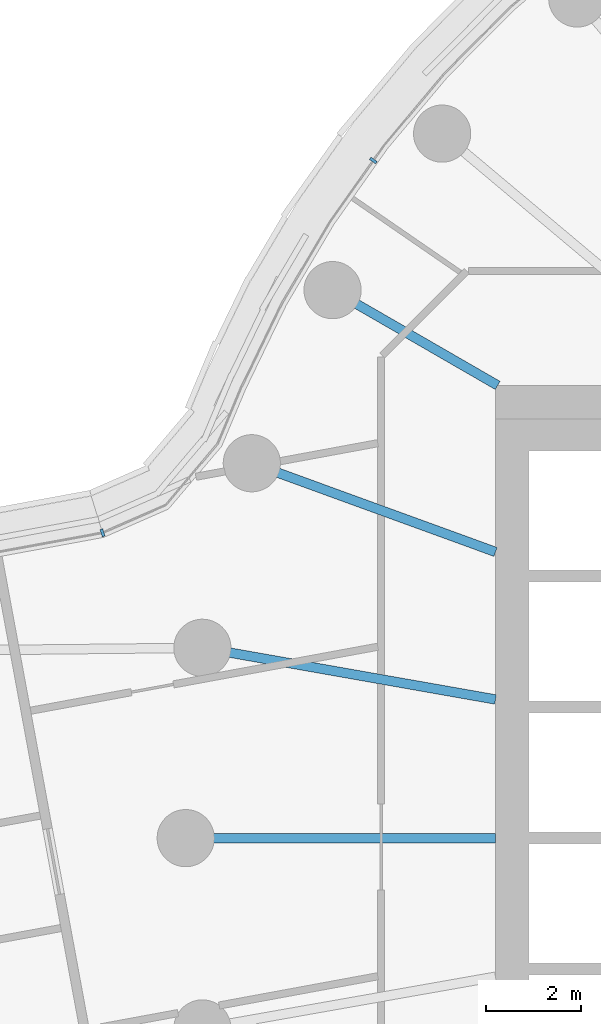
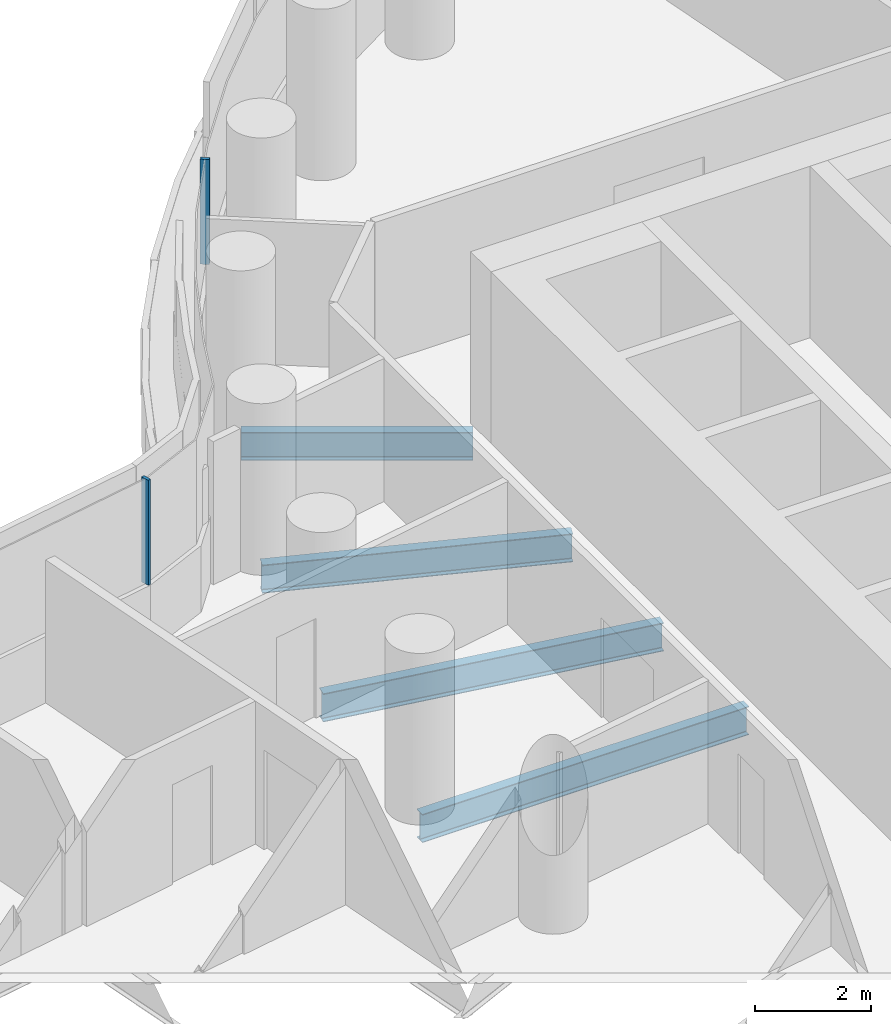
# One storey, part 9 of 33: 4 beams, 2 members, 2 elements without a shape of their own.
"""IFC4 building model written with IfcOpenShell, lengths in metres."""

import ifcopenshell
import ifcopenshell.guid

model = None  # the IFC model being written
_history = None  # IfcOwnerHistory: only IFC2X3 demands one
_inside = {}  # id of a spatial element -> (the spatial element, [elements in it])
_under = {}  # id of a project, library or spatial element -> (it, [spatial elements below it])
_declared = {}  # id of a project -> (the project, [libraries it declares])
_typed = {}  # id of a type object -> (the type object, [elements of that type])
_made_of = {}  # id of a material, layer set ... -> (it, [elements and type objects made of it])


def new_model(schema):
    """Start an empty IFC model of exactly this schema.

    Asked for "IFC4X3", IfcOpenShell would pick the latest addendum, in which some entities
    have other attributes; the version numbers below select the first issue.
    IFC2X3 requires an IfcOwnerHistory on every rooted entity: one is made here for all.
    """
    global model, _history
    if schema == "IFC4X3":
        model = ifcopenshell.file(schema_version=(4, 3, 0, 0))
    else:
        model = ifcopenshell.file(schema=schema)
    _inside.clear()
    _under.clear()
    _declared.clear()
    _typed.clear()
    _made_of.clear()
    _history = None
    if model.schema == "IFC2X3":
        org = make("IfcOrganization", Name="unknown")
        user = make(
            "IfcPersonAndOrganization",
            ThePerson=make("IfcPerson", FamilyName="unknown"),
            TheOrganization=org,
        )
        app = make(
            "IfcApplication",
            ApplicationDeveloper=org,
            Version="unknown",
            ApplicationFullName="unknown",
            ApplicationIdentifier="unknown",
        )
        _history = make(
            "IfcOwnerHistory",
            OwningUser=user,
            OwningApplication=app,
            ChangeAction="ADDED",
            CreationDate=0,
        )
    return model


def make(cls, **values):
    """One entity of the class cls with the attributes given. An attribute that is None is left unset."""
    return model.create_entity(
        cls, **{name: value for name, value in values.items() if value is not None}
    )


def rooted(cls, **values):
    """An entity with a GlobalId (a new one), such as an element, a storey or a relation."""
    return make(cls, GlobalId=ifcopenshell.guid.new(), OwnerHistory=_history, **values)


def si_unit(unit_type, name, prefix=None):
    """IfcSIUnit, for example si_unit("LENGTHUNIT", "METRE", prefix="MILLI")."""
    return make("IfcSIUnit", UnitType=unit_type, Prefix=prefix, Name=name)


def assignment(units):
    """IfcUnitAssignment: the units of a project."""
    return None if units is None else make("IfcUnitAssignment", Units=units)


def point(xyz):
    """IfcCartesianPoint."""
    return None if xyz is None else make("IfcCartesianPoint", Coordinates=xyz)


def direction(xyz):
    """IfcDirection."""
    return None if xyz is None else make("IfcDirection", DirectionRatios=xyz)


def frame(location, z_axis=None, x_axis=None):
    """IfcAxis2Placement3D, a coordinate frame: its origin and axes. An axis left out is left unset."""
    return make(
        "IfcAxis2Placement3D",
        Location=point(location),
        Axis=direction(z_axis),
        RefDirection=direction(x_axis),
    )


def frame_2d(location, x_axis=None):
    """IfcAxis2Placement2D, a coordinate frame in the plane: its origin and x axis."""
    return make(
        "IfcAxis2Placement2D", Location=point(location), RefDirection=direction(x_axis)
    )


def origin():
    """The frame at (0, 0, 0) with its axes left unset."""
    return frame((0.0, 0.0, 0.0))


def origin_2d():
    """The frame at (0, 0) in the plane with its x axis left unset."""
    return frame_2d((0.0, 0.0))


def place(relative_to, where):
    """IfcLocalPlacement: puts the frame where relative to a parent placement (None: the world)."""
    return make(
        "IfcLocalPlacement", PlacementRelTo=relative_to, RelativePlacement=where
    )


def context(
    kind, dimensions, precision=None, world=None, true_north=None, identifier=None
):
    """IfcGeometricRepresentationContext, for example the 3D "Model" context."""
    return make(
        "IfcGeometricRepresentationContext",
        ContextIdentifier=identifier,
        ContextType=kind,
        CoordinateSpaceDimension=dimensions,
        Precision=precision,
        WorldCoordinateSystem=world,
        TrueNorth=true_north,
    )


def subcontext(parent, identifier, kind, view, scale=None):
    """IfcGeometricRepresentationSubContext, for example "Body" below "Model"."""
    return make(
        "IfcGeometricRepresentationSubContext",
        ContextIdentifier=identifier,
        ContextType=kind,
        ParentContext=parent,
        TargetScale=scale,
        TargetView=view,
    )


def project(units=None, contexts=None):
    """IfcProject with its units and contexts."""
    return rooted(
        "IfcProject",
        Name="project",
        RepresentationContexts=contexts,
        UnitsInContext=assignment(units),
    )


def spatial(cls, under=None, at=None, **own):
    """A site, building, storey or space (cls), placed at a placement, below another one or the project."""
    s = rooted(cls, ObjectPlacement=at, **own)
    if under is not None:
        _under.setdefault(under.id(), (under, []))[1].append(s)
    return s


def profile(cls, at=None, kind="AREA", **sizes):
    """A parametric profile (cls). Its sizes go by their IFC names, for example OverallWidth=200.0."""
    return make(cls, ProfileType=kind, Position=at, **sizes)


def rectangle(**sizes):
    """IfcRectangleProfileDef."""
    return profile("IfcRectangleProfileDef", **sizes)


def i_section(**sizes):
    """IfcIShapeProfileDef."""
    return profile("IfcIShapeProfileDef", **sizes)


def extrude(swept, where, along, depth):
    """IfcExtrudedAreaSolid: the profile swept, set in the frame where, extruded along a direction by depth."""
    return make(
        "IfcExtrudedAreaSolid",
        SweptArea=swept,
        Position=where,
        ExtrudedDirection=direction(along),
        Depth=depth,
    )


def shape(context_of_items, identifier, shape_type, items):
    """IfcShapeRepresentation: the items that make up one representation, for example the "Body"."""
    return make(
        "IfcShapeRepresentation",
        ContextOfItems=context_of_items,
        RepresentationIdentifier=identifier,
        RepresentationType=shape_type,
        Items=items,
    )


def material(Name=None, Category=None):
    """IfcMaterial."""
    return make("IfcMaterial", Name=Name, Category=Category)


def layer(
    of_material, thickness, ventilated=None, Name=None, Category=None, Priority=None
):
    """IfcMaterialLayer: one layer of a wall or slab, of a material (None: an air gap)."""
    return make(
        "IfcMaterialLayer",
        Material=of_material,
        LayerThickness=thickness,
        IsVentilated=ventilated,
        Name=Name,
        Category=Category,
        Priority=Priority,
    )


def layer_set(layers, Name=None):
    """IfcMaterialLayerSet."""
    return make("IfcMaterialLayerSet", MaterialLayers=layers, LayerSetName=Name)


def material_profile(
    of_material, cross_section, Name=None, Category=None, Priority=None
):
    """IfcMaterialProfile: a cross section and its material."""
    return make(
        "IfcMaterialProfile",
        Name=Name,
        Material=of_material,
        Profile=cross_section,
        Priority=Priority,
        Category=Category,
    )


def profile_set(profiles, Name=None, composite=None):
    """IfcMaterialProfileSet."""
    return make(
        "IfcMaterialProfileSet",
        Name=Name,
        MaterialProfiles=profiles,
        CompositeProfile=composite,
    )


def made_of(thing, what):
    """Note that an element or type object is made of a material, layer set ...; save() writes the relation."""
    if what is not None:
        _made_of.setdefault(what.id(), (what, []))[1].append(thing)
    return thing


def type_object(cls, material=None, **own):
    """A type object (cls), such as IfcWallType, which elements share."""
    return made_of(rooted(cls, **own), material)


def element(
    cls,
    number,
    at=None,
    inside=None,
    cuts=None,
    type_object=None,
    material=None,
    context=None,
    identifier="Body",
    shape_type=None,
    held_by="IfcProductDefinitionShape",
    body=None,
    shapes=None,
    **own,
):
    """One element of the class cls, such as IfcWall. Its Tag is "e" and its number.

    at: its placement. inside: the storey or other place that contains it. cuts: it is an
    opening in that element (IfcRelVoidsElement). A single representation is given by context,
    identifier, shape_type and body (its items); several are given by shapes. held_by: the class
    of the entity that holds the representations. save() writes the other relations.
    """
    e = rooted(cls, Tag="e%d" % number, ObjectPlacement=at, **own)
    if body is not None:
        shapes = [shape(context, identifier, shape_type, body)]
    if shapes is not None:
        e.Representation = make(held_by, Representations=shapes)
    if inside is not None:
        _inside.setdefault(inside.id(), (inside, []))[1].append(e)
    if cuts is not None:
        rooted(
            "IfcRelVoidsElement", RelatingBuildingElement=cuts, RelatedOpeningElement=e
        )
    if type_object is not None:
        _typed.setdefault(type_object.id(), (type_object, []))[1].append(e)
    return made_of(e, material)


def aggregate(whole, parts):
    """IfcRelAggregates: a whole, such as a stair, and the parts it consists of."""
    return rooted("IfcRelAggregates", RelatingObject=whole, RelatedObjects=parts)


def save(model, path):
    """Write the relations noted so far, then the file.

    IfcRelAggregates (storeys below a building ...), IfcRelContainedInSpatialStructure (elements
    in a storey), IfcRelDefinesByType, IfcRelAssociatesMaterial and IfcRelDeclares: one each for
    every whole, place, type object, material and project.
    """
    for whole, parts in _under.values():
        aggregate(whole, parts)
    for where, things in _inside.values():
        rooted(
            "IfcRelContainedInSpatialStructure",
            RelatedElements=things,
            RelatingStructure=where,
        )
    for kind, things in _typed.values():
        rooted("IfcRelDefinesByType", RelatedObjects=things, RelatingType=kind)
    for what, things in _made_of.values():
        rooted("IfcRelAssociatesMaterial", RelatedObjects=things, RelatingMaterial=what)
    for by, libraries in _declared.values():
        rooted("IfcRelDeclares", RelatingContext=by, RelatedDefinitions=libraries)
    model.write(path)


model = new_model("IFC4")

# Units and contexts
model_context = context("Model", 3, precision=1e-05, world=origin(), true_north=direction((0.0, 1.0)))
body_context = subcontext(model_context, "Body", "Model", "MODEL_VIEW")
ifc_project = project(units=[si_unit("LENGTHUNIT", "METRE"), si_unit("AREAUNIT", "SQUARE_METRE"), si_unit("VOLUMEUNIT", "CUBIC_METRE"), si_unit("PLANEANGLEUNIT", "RADIAN"), si_unit("MASSUNIT", "GRAM", prefix="KILO")], contexts=[model_context])

# Site, building, storey
site_placement = place(None, origin())
site = spatial("IfcSite", under=ifc_project, at=site_placement, CompositionType="ELEMENT")
building_placement = place(site_placement, origin())
building = spatial("IfcBuilding", under=site, at=building_placement, Name="Tamarind Cross Interchange Tower", CompositionType="ELEMENT")
storey_placement = place(building_placement, frame((0.0, 0.0, 71.5)))
storey = spatial("IfcBuildingStorey", under=building, at=storey_placement, Name="L16", CompositionType="ELEMENT", Elevation=71.5)

# Beams
ifc_material_1 = material(Name="Steel Q355B", Category="steel")
ifc_material_profile_1 = material_profile(ifc_material_1, i_section(OverallWidth=0.198974609375, OverallDepth=0.595947265625, WebThickness=0.010009765625, FlangeThickness=0.014892578125, FilletRadius=0.012939453125, at=origin_2d()), Name="HN 596x199x10x15")
ifc_profile_set_1 = profile_set([ifc_material_profile_1], Name="Steel Q355B")
beam_type = type_object("IfcBeamType", Name="Composite beam HN 596x199x10x15 Q355B", PredefinedType="BEAM", material=ifc_profile_set_1)
beam_1_placement = place(storey_placement, frame((-19.918701171875, 11.5, -0.43798828125), z_axis=(0.866026010844, -0.49999894854, 0.0), x_axis=(0.49999894854, 0.866026010844, 0.0)))
element("IfcBeam", 1, at=beam_1_placement, inside=storey, type_object=beam_type, Name="Beam HH15", PredefinedType="BEAM", context=body_context, shape_type="SweptSolid", body=[
    extrude(i_section(OverallWidth=0.198974609375, OverallDepth=0.595947265625, WebThickness=0.010009765625, FlangeThickness=0.014892578125, FilletRadius=0.012939453125, at=origin_2d()), origin(), (0.0, 0.0, 1.0), 4.0),
])
beam_2_placement = place(storey_placement, frame((-21.613037109375, 7.866455078125, -0.43798828125), z_axis=(0.939701685589, -0.341995236956, 0.0), x_axis=(0.341995236956, 0.939701685589, 0.0)))
element("IfcBeam", 2, at=beam_2_placement, inside=storey, type_object=beam_type, Name="Beam HH16", PredefinedType="BEAM", context=body_context, shape_type="SweptSolid", body=[
    extrude(i_section(OverallWidth=0.198974609375, OverallDepth=0.595947265625, WebThickness=0.010009765625, FlangeThickness=0.014892578125, FilletRadius=0.012939453125, at=origin_2d()), origin(), (0.0, 0.0, 1.0), 5.441162109375),
])
beam_3_placement = place(storey_placement, frame((-22.650634765625, 3.993896484375, -0.43798828125), z_axis=(0.984809127561, -0.173640382036, 0.0), x_axis=(0.173640382036, 0.984809127561, 0.0)))
element("IfcBeam", 3, at=beam_3_placement, inside=storey, type_object=beam_type, Name="Beam HH17", PredefinedType="BEAM", context=body_context, shape_type="SweptSolid", body=[
    extrude(i_section(OverallWidth=0.198974609375, OverallDepth=0.595947265625, WebThickness=0.010009765625, FlangeThickness=0.014892578125, FilletRadius=0.012939453125, at=origin_2d()), origin(), (0.0, 0.0, 1.0), 6.24560546875),
])
beam_4_placement = place(storey_placement, frame((-23.0, 0.0, -0.43798828125), z_axis=(1.0, 0.0, 0.0), x_axis=(0.0, 1.0, 0.0)))
element("IfcBeam", 4, at=beam_4_placement, inside=storey, type_object=beam_type, Name="Beam HH18", PredefinedType="BEAM", context=body_context, shape_type="SweptSolid", body=[
    extrude(i_section(OverallWidth=0.198974609375, OverallDepth=0.595947265625, WebThickness=0.010009765625, FlangeThickness=0.014892578125, FilletRadius=0.012939453125, at=origin_2d()), origin(), (0.0, 0.0, 1.0), 6.5),
])

# Curtain wall, member
ifc_material_2 = material(Name="Aluminium 6063-T6", Category="aluminium")
ifc_layer = layer(ifc_material_2, 0.159912109375)
ifc_layer_set = layer_set([ifc_layer], Name="Aluminium 6063-T6")
curtain_wall_type = type_object("IfcCurtainWallType", Name="Office curtain wall, 9.0 m bays", PredefinedType="NOTDEFINED", material=ifc_layer_set)
curtain_wall_1_placement = place(storey_placement, origin())
curtain_wall_1 = element("IfcCurtainWall", 5, at=curtain_wall_1_placement, inside=storey, type_object=curtain_wall_type, Name="CWS-L16-14", PredefinedType="NOTDEFINED")
ifc_material_profile_2 = material_profile(ifc_material_2, rectangle(XDim=0.06005859375, YDim=0.159912109375, at=origin_2d()), Name="Mullion CW1")
ifc_profile_set_2 = profile_set([ifc_material_profile_2], Name="Aluminium 6063-T6")
member_type = type_object("IfcMemberType", Name="Mullion CW1", PredefinedType="MULLION", material=ifc_profile_set_2)
member_1_placement = place(storey_placement, frame((-19.06396484375, 14.219482421875, 1.39990234375), z_axis=(0.0, 0.0, 1.0), x_axis=(-0.577568978284, -0.816341886298, 0.0)))
member_1 = element("IfcMember", 6, at=member_1_placement, type_object=member_type, Name="CWM-L16-14-02", PredefinedType="MULLION", context=body_context, shape_type="SweptSolid", body=[
    extrude(rectangle(XDim=0.06005859375, YDim=0.159912109375, at=origin_2d()), origin(), (0.0, 0.0, 1.0), 2.210205078125),
])
aggregate(curtain_wall_1, [member_1])

curtain_wall_2_placement = place(storey_placement, origin())
curtain_wall_2 = element("IfcCurtainWall", 7, at=curtain_wall_2_placement, inside=storey, type_object=curtain_wall_type, Name="CWS-L16-15", PredefinedType="NOTDEFINED")
member_2_placement = place(storey_placement, frame((-24.746826171875, 6.408203125, 1.39990234375), z_axis=(0.0, 0.0, 1.0), x_axis=(-0.955988970628, -0.293402604006, 0.0)))
member_2 = element("IfcMember", 8, at=member_2_placement, type_object=member_type, Name="CWM-L16-15-00", PredefinedType="MULLION", context=body_context, shape_type="SweptSolid", body=[
    extrude(rectangle(XDim=0.06005859375, YDim=0.159912109375, at=origin_2d()), origin(), (0.0, 0.0, 1.0), 2.210205078125),
])
aggregate(curtain_wall_2, [member_2])

save(model, "model.ifc")
